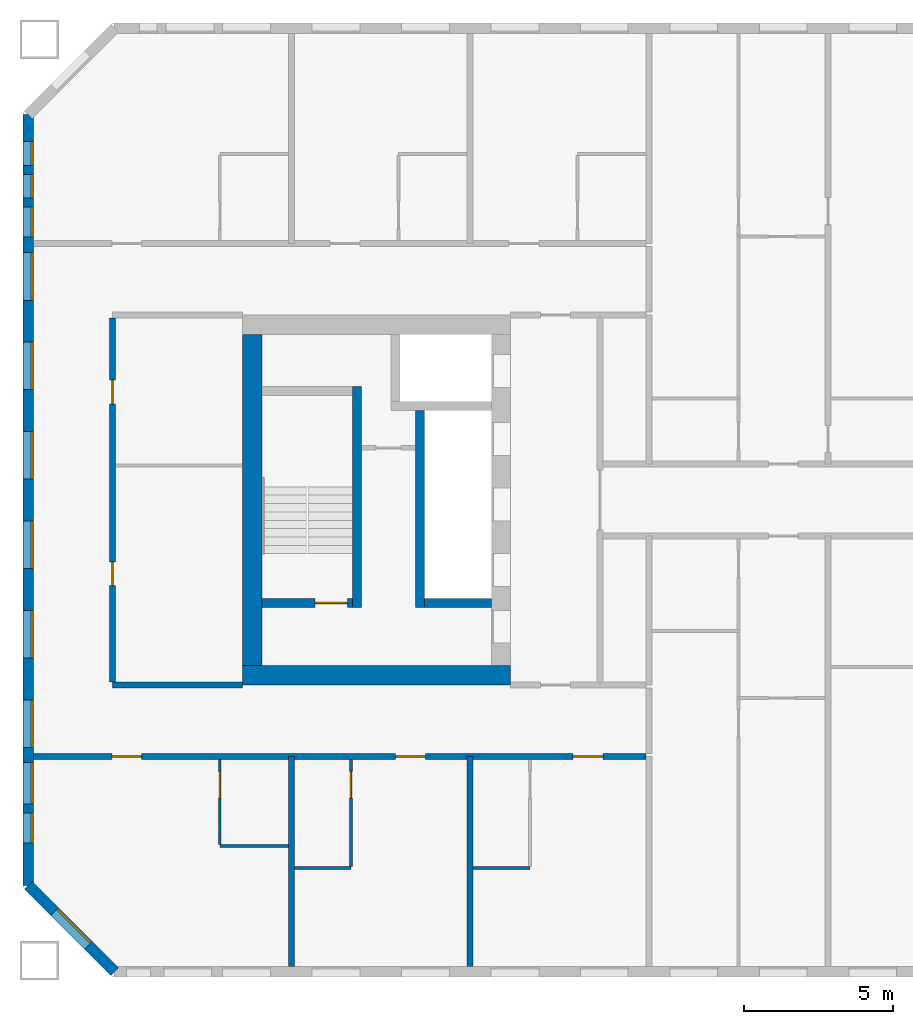
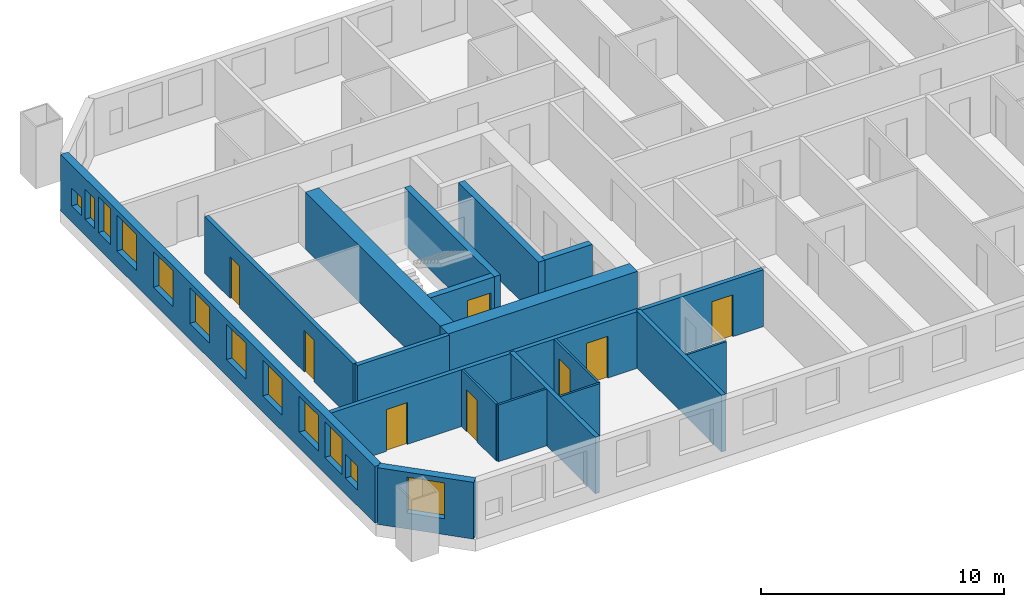
# One storey, part 2 of 16: 18 walls, 12 windows, 8 doors, 20 openings.
"""IFC4 building model written with IfcOpenShell, lengths in metres."""

from ifc_helpers import new_model, si_unit, direction, frame, frame_2d, origin, place, context, subcontext, project, spatial, rectangle, extrude, material, layer, layer_set, type_object, element, fill, save


model = new_model("IFC4")

# Units and contexts
model_context = context("Model", 3, precision=1e-05, world=origin(), true_north=direction((0.0, 1.0)))
body_context = subcontext(model_context, "Body", "Model", "MODEL_VIEW")
ifc_project = project(units=[si_unit("LENGTHUNIT", "METRE"), si_unit("AREAUNIT", "SQUARE_METRE"), si_unit("VOLUMEUNIT", "CUBIC_METRE"), si_unit("PLANEANGLEUNIT", "RADIAN"), si_unit("MASSUNIT", "GRAM", prefix="KILO")], contexts=[model_context])

# Site, building, storey
site_placement = place(None, origin())
site = spatial("IfcSite", under=ifc_project, at=site_placement, CompositionType="ELEMENT")
building_placement = place(site_placement, origin())
building = spatial("IfcBuilding", under=site, at=building_placement, Name="Tuart Gate Housing", CompositionType="ELEMENT")
storey_placement = place(building_placement, frame((0.0, 0.0, 96.39990234375)))
storey = spatial("IfcBuildingStorey", under=building, at=storey_placement, Name="L26", CompositionType="ELEMENT", Elevation=96.39990234375)

# Wall, opening, window
ifc_material_1 = material(Name="Brick", Category="masonry")
ifc_layer_1 = layer(ifc_material_1, 0.360107421875)
ifc_layer_set_1 = layer_set([ifc_layer_1], Name="Brick pier and spandrel wall 360")
wall_type_1 = type_object("IfcWallType", Name="Brick pier and spandrel wall 360", PredefinedType="STANDARD", material=ifc_layer_set_1)
wall_1_placement = place(storey_placement, frame((25.179931640625, 57.07470703125, 0.0), z_axis=(0.0, 0.0, 1.0), x_axis=(0.707106781187, -0.707106781187, 0.0)))
wall_1 = element("IfcWall", 1, at=wall_1_placement, inside=storey, type_object=wall_type_1, Name="External wall A-SW L26", PredefinedType="STANDARD", context=body_context, shape_type="SweptSolid", body=[
    extrude(rectangle(XDim=4.09375, YDim=0.360107421875, at=frame_2d((2.046875, 0.0))), origin(), (0.0, 0.0, 1.0), 2.85009765625),
])
opening_1_placement = place(wall_1_placement, frame((1.2470703125, 0.0, 0.800048828125)))
opening_1 = element("IfcOpeningElement", 2, at=opening_1_placement, cuts=wall_1, Name="Opening W1", PredefinedType="OPENING", context=body_context, shape_type="SweptSolid", body=[
    extrude(rectangle(XDim=1.60009765625, YDim=1.800048828125, at=frame_2d((0.800048828125, 0.89990234375))), frame((0.0, 0.18994140625, 0.0), z_axis=(0.0, -1.0, 0.0), x_axis=(1.0, 0.0, 0.0)), (0.0, 0.0, 1.0), 0.380126953125),
])
ifc_material_2 = material(Name="Aluminium frame with clear glass", Category="aluminium")
window_type_1 = type_object("IfcWindowType", Name="Punched window 1600 x 1800", PartitioningType="SINGLE_PANEL", PredefinedType="WINDOW", material=ifc_material_2)
window_1_placement = place(opening_1_placement, origin())
window_1 = element("IfcWindow", 3, at=window_1_placement, inside=storey, type_object=window_type_1, Name="Window W1", OverallHeight=1.800048828125, OverallWidth=1.60009765625, PartitioningType="SINGLE_PANEL", PredefinedType="WINDOW", context=body_context, shape_type="SweptSolid", body=[
    extrude(rectangle(XDim=1.60009765625, YDim=1.800048828125, at=frame_2d((0.800048828125, 0.89990234375))), frame((0.0, 0.150146484375, 0.0), z_axis=(0.0, -1.0, 0.0), x_axis=(1.0, 0.0, 0.0)), (0.0, 0.0, 1.0), 0.06005859375),
])
fill(opening_1, window_1)

# Wall, openings, windows
wall_2_placement = place(storey_placement, frame((25.179931640625, 82.92529296875, 0.0), z_axis=(0.0, 0.0, 1.0), x_axis=(0.0, -1.0, 0.0)))
wall_2 = element("IfcWall", 4, at=wall_2_placement, inside=storey, type_object=wall_type_1, Name="External wall A-W L26", PredefinedType="STANDARD", context=body_context, shape_type="SweptSolid", body=[
    extrude(rectangle(XDim=25.850830078125, YDim=0.360107421875, at=frame_2d((12.92529296875, 0.0))), origin(), (0.0, 0.0, 1.0), 2.85009765625),
])
opening_2_placement = place(wall_2_placement, frame((0.89990234375, 0.0, 0.800048828125)))
opening_2 = element("IfcOpeningElement", 5, at=opening_2_placement, cuts=wall_2, Name="Opening W1V", PredefinedType="OPENING", context=body_context, shape_type="SweptSolid", body=[
    extrude(rectangle(XDim=0.800048828125, YDim=0.89990234375, at=frame_2d((0.39990234375, 0.449951171875))), frame((0.0, 0.18994140625, 0.0), z_axis=(0.0, -1.0, 0.0), x_axis=(1.0, 0.0, 0.0)), (0.0, 0.0, 1.0), 0.380126953125),
])
opening_3_placement = place(wall_2_placement, frame((4.62548828125, 0.0, 0.800048828125)))
opening_3 = element("IfcOpeningElement", 6, at=opening_3_placement, cuts=wall_2, Name="Opening W1", PredefinedType="OPENING", context=body_context, shape_type="SweptSolid", body=[
    extrude(rectangle(XDim=1.60009765625, YDim=1.800048828125, at=frame_2d((0.800048828125, 0.89990234375))), frame((0.0, 0.18994140625, 0.0), z_axis=(0.0, -1.0, 0.0), x_axis=(1.0, 0.0, 0.0)), (0.0, 0.0, 1.0), 0.380126953125),
])
opening_4_placement = place(wall_2_placement, frame((7.62548828125, 0.0, 0.800048828125)))
opening_4 = element("IfcOpeningElement", 7, at=opening_4_placement, cuts=wall_2, Name="Opening W1", PredefinedType="OPENING", context=body_context, shape_type="SweptSolid", body=[
    extrude(rectangle(XDim=1.60009765625, YDim=1.800048828125, at=frame_2d((0.800048828125, 0.89990234375))), frame((0.0, 0.18994140625, 0.0), z_axis=(0.0, -1.0, 0.0), x_axis=(1.0, 0.0, 0.0)), (0.0, 0.0, 1.0), 0.380126953125),
])
opening_5_placement = place(wall_2_placement, frame((10.62548828125, 0.0, 0.800048828125)))
opening_5 = element("IfcOpeningElement", 8, at=opening_5_placement, cuts=wall_2, Name="Opening W1", PredefinedType="OPENING", context=body_context, shape_type="SweptSolid", body=[
    extrude(rectangle(XDim=1.60009765625, YDim=1.800048828125, at=frame_2d((0.800048828125, 0.89990234375))), frame((0.0, 0.18994140625, 0.0), z_axis=(0.0, -1.0, 0.0), x_axis=(1.0, 0.0, 0.0)), (0.0, 0.0, 1.0), 0.380126953125),
])
opening_6_placement = place(wall_2_placement, frame((13.62548828125, 0.0, 0.800048828125)))
opening_6 = element("IfcOpeningElement", 9, at=opening_6_placement, cuts=wall_2, Name="Opening W1", PredefinedType="OPENING", context=body_context, shape_type="SweptSolid", body=[
    extrude(rectangle(XDim=1.60009765625, YDim=1.800048828125, at=frame_2d((0.800048828125, 0.89990234375))), frame((0.0, 0.18994140625, 0.0), z_axis=(0.0, -1.0, 0.0), x_axis=(1.0, 0.0, 0.0)), (0.0, 0.0, 1.0), 0.380126953125),
])
opening_7_placement = place(wall_2_placement, frame((16.62548828125, 0.0, 0.800048828125)))
opening_7 = element("IfcOpeningElement", 10, at=opening_7_placement, cuts=wall_2, Name="Opening W1", PredefinedType="OPENING", context=body_context, shape_type="SweptSolid", body=[
    extrude(rectangle(XDim=1.60009765625, YDim=1.800048828125, at=frame_2d((0.800048828125, 0.89990234375))), frame((0.0, 0.18994140625, 0.0), z_axis=(0.0, -1.0, 0.0), x_axis=(1.0, 0.0, 0.0)), (0.0, 0.0, 1.0), 0.380126953125),
])
opening_8_placement = place(wall_2_placement, frame((19.62548828125, 0.0, 0.800048828125)))
opening_8 = element("IfcOpeningElement", 11, at=opening_8_placement, cuts=wall_2, Name="Opening W1", PredefinedType="OPENING", context=body_context, shape_type="SweptSolid", body=[
    extrude(rectangle(XDim=1.60009765625, YDim=1.800048828125, at=frame_2d((0.800048828125, 0.89990234375))), frame((0.0, 0.18994140625, 0.0), z_axis=(0.0, -1.0, 0.0), x_axis=(1.0, 0.0, 0.0)), (0.0, 0.0, 1.0), 0.380126953125),
])
opening_9_placement = place(wall_2_placement, frame((21.725341796875, 0.0, 0.800048828125)))
opening_9 = element("IfcOpeningElement", 12, at=opening_9_placement, cuts=wall_2, Name="Opening W1A", PredefinedType="OPENING", context=body_context, shape_type="SweptSolid", body=[
    extrude(rectangle(XDim=1.39990234375, YDim=1.800048828125, at=frame_2d((0.699951171875, 0.89990234375))), frame((0.0, 0.18994140625, 0.0), z_axis=(0.0, -1.0, 0.0), x_axis=(1.0, 0.0, 0.0)), (0.0, 0.0, 1.0), 0.380126953125),
])
opening_10_placement = place(wall_2_placement, frame((2.0, 0.0, 0.800048828125)))
opening_10 = element("IfcOpeningElement", 13, at=opening_10_placement, cuts=wall_2, Name="Opening W1J", PredefinedType="OPENING", context=body_context, shape_type="SweptSolid", body=[
    extrude(rectangle(XDim=0.800048828125, YDim=1.5, at=frame_2d((0.39990234375, 0.75))), frame((0.0, 0.18994140625, 0.0), z_axis=(0.0, -1.0, 0.0), x_axis=(1.0, 0.0, 0.0)), (0.0, 0.0, 1.0), 0.380126953125),
])
opening_11_placement = place(wall_2_placement, frame((3.10009765625, 0.0, 0.800048828125)))
opening_11 = element("IfcOpeningElement", 14, at=opening_11_placement, cuts=wall_2, Name="Opening W1C", PredefinedType="OPENING", context=body_context, shape_type="SweptSolid", body=[
    extrude(rectangle(XDim=1.0, YDim=1.800048828125, at=frame_2d((0.5, 0.89990234375))), frame((0.0, 0.18994140625, 0.0), z_axis=(0.0, -1.0, 0.0), x_axis=(1.0, 0.0, 0.0)), (0.0, 0.0, 1.0), 0.380126953125),
])
opening_12_placement = place(wall_2_placement, frame((23.42529296875, 0.0, 0.800048828125)))
opening_12 = element("IfcOpeningElement", 15, at=opening_12_placement, cuts=wall_2, Name="Opening W1O", PredefinedType="OPENING", context=body_context, shape_type="SweptSolid", body=[
    extrude(rectangle(XDim=1.0, YDim=1.199951171875, at=frame_2d((0.5, 0.60009765625))), frame((0.0, 0.18994140625, 0.0), z_axis=(0.0, -1.0, 0.0), x_axis=(1.0, 0.0, 0.0)), (0.0, 0.0, 1.0), 0.380126953125),
])
ifc_material_3 = material(Name="Aluminium frame with clear glass", Category="aluminium")
window_type_2 = type_object("IfcWindowType", Name="Punched window 1000 x 1200", PartitioningType="SINGLE_PANEL", PredefinedType="WINDOW", material=ifc_material_3)
window_2_placement = place(opening_12_placement, origin())
window_2 = element("IfcWindow", 16, at=window_2_placement, inside=storey, type_object=window_type_2, Name="Window W1O", OverallHeight=1.199951171875, OverallWidth=1.0, PartitioningType="SINGLE_PANEL", PredefinedType="WINDOW", context=body_context, shape_type="SweptSolid", body=[
    extrude(rectangle(XDim=1.0, YDim=1.199951171875, at=frame_2d((0.5, 0.60009765625))), frame((0.0, 0.150146484375, 0.0), z_axis=(0.0, -1.0, 0.0), x_axis=(1.0, 0.0, 0.0)), (0.0, 0.0, 1.0), 0.06005859375),
])
fill(opening_12, window_2)
ifc_material_4 = material(Name="Aluminium frame with clear glass", Category="aluminium")
window_type_3 = type_object("IfcWindowType", Name="Punched window 1000 x 1800", PartitioningType="SINGLE_PANEL", PredefinedType="WINDOW", material=ifc_material_4)
window_3_placement = place(opening_11_placement, origin())
window_3 = element("IfcWindow", 17, at=window_3_placement, inside=storey, type_object=window_type_3, Name="Window W1C", OverallHeight=1.800048828125, OverallWidth=1.0, PartitioningType="SINGLE_PANEL", PredefinedType="WINDOW", context=body_context, shape_type="SweptSolid", body=[
    extrude(rectangle(XDim=1.0, YDim=1.800048828125, at=frame_2d((0.5, 0.89990234375))), frame((0.0, 0.150146484375, 0.0), z_axis=(0.0, -1.0, 0.0), x_axis=(1.0, 0.0, 0.0)), (0.0, 0.0, 1.0), 0.06005859375),
])
fill(opening_11, window_3)
ifc_material_5 = material(Name="Aluminium frame with clear glass", Category="aluminium")
window_type_4 = type_object("IfcWindowType", Name="Punched window 1400 x 1800", PartitioningType="SINGLE_PANEL", PredefinedType="WINDOW", material=ifc_material_5)
window_4_placement = place(opening_9_placement, origin())
window_4 = element("IfcWindow", 18, at=window_4_placement, inside=storey, type_object=window_type_4, Name="Window W1A", OverallHeight=1.800048828125, OverallWidth=1.39990234375, PartitioningType="SINGLE_PANEL", PredefinedType="WINDOW", context=body_context, shape_type="SweptSolid", body=[
    extrude(rectangle(XDim=1.39990234375, YDim=1.800048828125, at=frame_2d((0.699951171875, 0.89990234375))), frame((0.0, 0.150146484375, 0.0), z_axis=(0.0, -1.0, 0.0), x_axis=(1.0, 0.0, 0.0)), (0.0, 0.0, 1.0), 0.06005859375),
])
fill(opening_9, window_4)
window_5_placement = place(opening_3_placement, origin())
window_5 = element("IfcWindow", 19, at=window_5_placement, inside=storey, type_object=window_type_1, Name="Window W1", OverallHeight=1.800048828125, OverallWidth=1.60009765625, PartitioningType="SINGLE_PANEL", PredefinedType="WINDOW", context=body_context, shape_type="SweptSolid", body=[
    extrude(rectangle(XDim=1.60009765625, YDim=1.800048828125, at=frame_2d((0.800048828125, 0.89990234375))), frame((0.0, 0.150146484375, 0.0), z_axis=(0.0, -1.0, 0.0), x_axis=(1.0, 0.0, 0.0)), (0.0, 0.0, 1.0), 0.06005859375),
])
fill(opening_3, window_5)
window_6_placement = place(opening_4_placement, origin())
window_6 = element("IfcWindow", 20, at=window_6_placement, inside=storey, type_object=window_type_1, Name="Window W1", OverallHeight=1.800048828125, OverallWidth=1.60009765625, PartitioningType="SINGLE_PANEL", PredefinedType="WINDOW", context=body_context, shape_type="SweptSolid", body=[
    extrude(rectangle(XDim=1.60009765625, YDim=1.800048828125, at=frame_2d((0.800048828125, 0.89990234375))), frame((0.0, 0.150146484375, 0.0), z_axis=(0.0, -1.0, 0.0), x_axis=(1.0, 0.0, 0.0)), (0.0, 0.0, 1.0), 0.06005859375),
])
fill(opening_4, window_6)
window_7_placement = place(opening_5_placement, origin())
window_7 = element("IfcWindow", 21, at=window_7_placement, inside=storey, type_object=window_type_1, Name="Window W1", OverallHeight=1.800048828125, OverallWidth=1.60009765625, PartitioningType="SINGLE_PANEL", PredefinedType="WINDOW", context=body_context, shape_type="SweptSolid", body=[
    extrude(rectangle(XDim=1.60009765625, YDim=1.800048828125, at=frame_2d((0.800048828125, 0.89990234375))), frame((0.0, 0.150146484375, 0.0), z_axis=(0.0, -1.0, 0.0), x_axis=(1.0, 0.0, 0.0)), (0.0, 0.0, 1.0), 0.06005859375),
])
fill(opening_5, window_7)
window_8_placement = place(opening_6_placement, origin())
window_8 = element("IfcWindow", 22, at=window_8_placement, inside=storey, type_object=window_type_1, Name="Window W1", OverallHeight=1.800048828125, OverallWidth=1.60009765625, PartitioningType="SINGLE_PANEL", PredefinedType="WINDOW", context=body_context, shape_type="SweptSolid", body=[
    extrude(rectangle(XDim=1.60009765625, YDim=1.800048828125, at=frame_2d((0.800048828125, 0.89990234375))), frame((0.0, 0.150146484375, 0.0), z_axis=(0.0, -1.0, 0.0), x_axis=(1.0, 0.0, 0.0)), (0.0, 0.0, 1.0), 0.06005859375),
])
fill(opening_6, window_8)
window_9_placement = place(opening_7_placement, origin())
window_9 = element("IfcWindow", 23, at=window_9_placement, inside=storey, type_object=window_type_1, Name="Window W1", OverallHeight=1.800048828125, OverallWidth=1.60009765625, PartitioningType="SINGLE_PANEL", PredefinedType="WINDOW", context=body_context, shape_type="SweptSolid", body=[
    extrude(rectangle(XDim=1.60009765625, YDim=1.800048828125, at=frame_2d((0.800048828125, 0.89990234375))), frame((0.0, 0.150146484375, 0.0), z_axis=(0.0, -1.0, 0.0), x_axis=(1.0, 0.0, 0.0)), (0.0, 0.0, 1.0), 0.06005859375),
])
fill(opening_7, window_9)
window_10_placement = place(opening_8_placement, origin())
window_10 = element("IfcWindow", 24, at=window_10_placement, inside=storey, type_object=window_type_1, Name="Window W1", OverallHeight=1.800048828125, OverallWidth=1.60009765625, PartitioningType="SINGLE_PANEL", PredefinedType="WINDOW", context=body_context, shape_type="SweptSolid", body=[
    extrude(rectangle(XDim=1.60009765625, YDim=1.800048828125, at=frame_2d((0.800048828125, 0.89990234375))), frame((0.0, 0.150146484375, 0.0), z_axis=(0.0, -1.0, 0.0), x_axis=(1.0, 0.0, 0.0)), (0.0, 0.0, 1.0), 0.06005859375),
])
fill(opening_8, window_10)
ifc_material_6 = material(Name="Aluminium frame with clear glass", Category="aluminium")
window_type_5 = type_object("IfcWindowType", Name="Punched window 800 x 1500", PartitioningType="SINGLE_PANEL", PredefinedType="WINDOW", material=ifc_material_6)
window_11_placement = place(opening_10_placement, origin())
window_11 = element("IfcWindow", 25, at=window_11_placement, inside=storey, type_object=window_type_5, Name="Window W1J", OverallHeight=1.5, OverallWidth=0.800048828125, PartitioningType="SINGLE_PANEL", PredefinedType="WINDOW", context=body_context, shape_type="SweptSolid", body=[
    extrude(rectangle(XDim=0.800048828125, YDim=1.5, at=frame_2d((0.39990234375, 0.75))), frame((0.0, 0.150146484375, 0.0), z_axis=(0.0, -1.0, 0.0), x_axis=(1.0, 0.0, 0.0)), (0.0, 0.0, 1.0), 0.06005859375),
])
fill(opening_10, window_11)
ifc_material_7 = material(Name="Aluminium frame with clear glass", Category="aluminium")
window_type_6 = type_object("IfcWindowType", Name="Punched window 800 x 900", PartitioningType="SINGLE_PANEL", PredefinedType="WINDOW", material=ifc_material_7)
window_12_placement = place(opening_2_placement, origin())
window_12 = element("IfcWindow", 26, at=window_12_placement, inside=storey, type_object=window_type_6, Name="Window W1V", OverallHeight=0.89990234375, OverallWidth=0.800048828125, PartitioningType="SINGLE_PANEL", PredefinedType="WINDOW", context=body_context, shape_type="SweptSolid", body=[
    extrude(rectangle(XDim=0.800048828125, YDim=0.89990234375, at=frame_2d((0.39990234375, 0.449951171875))), frame((0.0, 0.150146484375, 0.0), z_axis=(0.0, -1.0, 0.0), x_axis=(1.0, 0.0, 0.0)), (0.0, 0.0, 1.0), 0.06005859375),
])
fill(opening_2, window_12)

# Wall
ifc_material_8 = material(Name="Concrete C50", Category="concrete")
ifc_layer_2 = layer(ifc_material_8, 0.300048828125)
ifc_layer_set_2 = layer_set([ifc_layer_2], Name="Core wall 300 C50")
wall_type_2 = type_object("IfcWallType", Name="Core wall 300 C50", PredefinedType="SHEAR", material=ifc_layer_set_2)
wall_3_placement = place(storey_placement, frame((40.7099609375, 66.550048828125, 0.0), z_axis=(0.0, 0.0, 1.0), x_axis=(-1.0, 0.0, 0.0)))
element("IfcWall", 27, at=wall_3_placement, inside=storey, type_object=wall_type_2, Name="Core wall AK.4", PredefinedType="SHEAR", context=body_context, shape_type="SweptSolid", body=[
    extrude(rectangle(XDim=2.25, YDim=0.300048828125, at=frame_2d((1.125, 0.0))), origin(), (0.0, 0.0, 1.0), 2.85009765625),
])

# Wall, opening, door
wall_4_placement = place(storey_placement, frame((36.06005859375, 66.550048828125, 0.0), z_axis=(0.0, 0.0, 1.0), x_axis=(-1.0, 0.0, 0.0)))
wall_4 = element("IfcWall", 28, at=wall_4_placement, inside=storey, type_object=wall_type_2, Name="Core wall AK.5", PredefinedType="SHEAR", context=body_context, shape_type="SweptSolid", body=[
    extrude(rectangle(XDim=3.050048828125, YDim=0.300048828125, at=frame_2d((1.52490234375, 0.0))), origin(), (0.0, 0.0, 1.0), 2.85009765625),
])
opening_13_placement = place(wall_4_placement, frame((0.169921875, 0.0, 0.0)))
opening_13 = element("IfcOpeningElement", 29, at=opening_13_placement, cuts=wall_4, Name="Opening D1103", PredefinedType="OPENING", context=body_context, shape_type="SweptSolid", body=[
    extrude(rectangle(XDim=1.10009765625, YDim=2.10009765625, at=frame_2d((0.550048828125, 1.050048828125))), frame((0.0, 0.159912109375, 0.0), z_axis=(0.0, -1.0, 0.0), x_axis=(1.0, 0.0, 0.0)), (0.0, 0.0, 1.0), 0.320068359375),
])
ifc_material_9 = material(Name="Steel fire door", Category="steel")
door_type_1 = type_object("IfcDoorType", Name="Stair door 1100 x 2100 RH", OperationType="SINGLE_SWING_RIGHT", PredefinedType="DOOR", material=ifc_material_9)
door_1_placement = place(opening_13_placement, frame((1.10009765625, 0.0, 0.0), z_axis=(0.0, 0.0, 1.0), x_axis=(-1.0, 0.0, 0.0)))
door_1 = element("IfcDoor", 30, at=door_1_placement, inside=storey, type_object=door_type_1, Name="Stair door AK.SD", OperationType="SINGLE_SWING_RIGHT", OverallHeight=2.10009765625, OverallWidth=1.10009765625, PredefinedType="DOOR", context=body_context, shape_type="SweptSolid", body=[
    extrude(rectangle(XDim=1.10009765625, YDim=2.10009765625, at=frame_2d((0.550048828125, 1.050048828125))), frame((0.0, 0.025146484375, 0.0), z_axis=(0.0, -1.0, 0.0), x_axis=(1.0, 0.0, 0.0)), (0.0, 0.0, 1.0), 0.050048828125),
])
fill(opening_13, door_1)

# Walls
wall_5_placement = place(storey_placement, frame((38.31005859375, 73.0, 0.0), z_axis=(0.0, 0.0, 1.0), x_axis=(0.0, -1.0, 0.0)))
element("IfcWall", 31, at=wall_5_placement, inside=storey, type_object=wall_type_2, Name="Core wall AK.6", PredefinedType="SHEAR", context=body_context, shape_type="SweptSolid", body=[
    extrude(rectangle(XDim=6.60009765625, YDim=0.300048828125, at=frame_2d((3.300048828125, 0.0))), origin(), (0.0, 0.0, 1.0), 2.85009765625),
])
wall_6_placement = place(storey_placement, frame((36.2099609375, 73.800048828125, 0.0), z_axis=(0.0, 0.0, 1.0), x_axis=(0.0, -1.0, 0.0)))
element("IfcWall", 32, at=wall_6_placement, inside=storey, type_object=wall_type_2, Name="Core wall AK.8", PredefinedType="SHEAR", context=body_context, shape_type="SweptSolid", body=[
    extrude(rectangle(XDim=7.400146484375, YDim=0.300048828125, at=frame_2d((3.7001953125, 0.0))), origin(), (0.0, 0.0, 1.0), 2.85009765625),
])
ifc_material_10 = material(Name="Concrete C50", Category="concrete")
ifc_layer_3 = layer(ifc_material_10, 0.64990234375)
ifc_layer_set_3 = layer_set([ifc_layer_3], Name="Core wall 650 C50")
wall_type_3 = type_object("IfcWallType", Name="Core wall 650 C50", PredefinedType="SHEAR", material=ifc_layer_set_3)
wall_7_placement = place(storey_placement, frame((32.68505859375, 75.550048828125, 0.0), z_axis=(0.0, 0.0, 1.0), x_axis=(0.0, -1.0, 0.0)))
element("IfcWall", 33, at=wall_7_placement, inside=storey, type_object=wall_type_3, Name="Core wall AK back", PredefinedType="SHEAR", context=body_context, shape_type="SweptSolid", body=[
    extrude(rectangle(XDim=11.10009765625, YDim=0.64990234375, at=frame_2d((5.550048828125, 0.0))), origin(), (0.0, 0.0, 1.0), 2.85009765625),
])
wall_8_placement = place(storey_placement, frame((41.360107421875, 64.125, 0.0), z_axis=(0.0, 0.0, 1.0), x_axis=(-1.0, 0.0, 0.0)))
element("IfcWall", 34, at=wall_8_placement, inside=storey, type_object=wall_type_3, Name="Core wall AK north", PredefinedType="SHEAR", context=body_context, shape_type="SweptSolid", body=[
    extrude(rectangle(XDim=9.0, YDim=0.64990234375, at=frame_2d((4.5, 0.0))), origin(), (0.0, 0.0, 1.0), 2.85009765625),
])

# Wall, openings, doors
ifc_material_11 = material(Name="Concrete masonry 15 MPa", Category="masonry")
ifc_layer_4 = layer(ifc_material_11, 0.199951171875)
ifc_layer_set_4 = layer_set([ifc_layer_4], Name="Corridor wall masonry 200")
wall_type_4 = type_object("IfcWallType", Name="Corridor wall masonry 200", PredefinedType="PARTITIONING", material=ifc_layer_set_4)
wall_9_placement = place(storey_placement, frame((25.360107421875, 61.39990234375, 0.0), z_axis=(0.0, 0.0, 1.0), x_axis=(1.0, 0.0, 0.0)))
wall_9 = element("IfcWall", 35, at=wall_9_placement, inside=storey, type_object=wall_type_4, Name="Corridor wall masonry 200", PredefinedType="PARTITIONING", context=body_context, shape_type="SweptSolid", body=[
    extrude(rectangle(XDim=20.539794921875, YDim=0.199951171875, at=frame_2d((10.27001953125, 0.0))), origin(), (0.0, 0.0, 1.0), 2.85009765625),
])
opening_14_placement = place(wall_9_placement, frame((18.090087890625, 0.0, 0.0)))
opening_14 = element("IfcOpeningElement", 36, at=opening_14_placement, cuts=wall_9, Name="Opening D1113", PredefinedType="OPENING", context=body_context, shape_type="SweptSolid", body=[
    extrude(rectangle(XDim=1.0, YDim=2.10009765625, at=frame_2d((0.5, 1.050048828125))), frame((0.0, 0.10986328125, 0.0), z_axis=(0.0, -1.0, 0.0), x_axis=(1.0, 0.0, 0.0)), (0.0, 0.0, 1.0), 0.219970703125),
])
opening_15_placement = place(wall_9_placement, frame((12.139892578125, 0.0, 0.0)))
opening_15 = element("IfcOpeningElement", 37, at=opening_15_placement, cuts=wall_9, Name="Opening D1114", PredefinedType="OPENING", context=body_context, shape_type="SweptSolid", body=[
    extrude(rectangle(XDim=1.0, YDim=2.10009765625, at=frame_2d((0.5, 1.050048828125))), frame((0.0, 0.10986328125, 0.0), z_axis=(0.0, -1.0, 0.0), x_axis=(1.0, 0.0, 0.0)), (0.0, 0.0, 1.0), 0.219970703125),
])
opening_16_placement = place(wall_9_placement, frame((2.6201171875, 0.0, 0.0)))
opening_16 = element("IfcOpeningElement", 38, at=opening_16_placement, cuts=wall_9, Name="Opening D1115", PredefinedType="OPENING", context=body_context, shape_type="SweptSolid", body=[
    extrude(rectangle(XDim=1.0, YDim=2.10009765625, at=frame_2d((0.5, 1.050048828125))), frame((0.0, 0.10986328125, 0.0), z_axis=(0.0, -1.0, 0.0), x_axis=(1.0, 0.0, 0.0)), (0.0, 0.0, 1.0), 0.219970703125),
])
ifc_material_12 = material(Name="Timber door leaf in steel frame", Category="steel")
door_type_2 = type_object("IfcDoorType", Name="Flat entrance door 1000 RH", OperationType="SINGLE_SWING_RIGHT", PredefinedType="DOOR", material=ifc_material_12)
door_2_placement = place(opening_14_placement, frame((1.0, 0.0, 0.0), z_axis=(0.0, 0.0, 1.0), x_axis=(-1.0, 0.0, 0.0)))
door_2 = element("IfcDoor", 39, at=door_2_placement, inside=storey, type_object=door_type_2, Name="Flat entrance door", OperationType="SINGLE_SWING_RIGHT", OverallHeight=2.10009765625, OverallWidth=1.0, PredefinedType="DOOR", context=body_context, shape_type="SweptSolid", body=[
    extrude(rectangle(XDim=1.0, YDim=2.10009765625, at=frame_2d((0.5, 1.050048828125))), frame((0.0, 0.025146484375, 0.0), z_axis=(0.0, -1.0, 0.0), x_axis=(1.0, 0.0, 0.0)), (0.0, 0.0, 1.0), 0.050048828125),
])
fill(opening_14, door_2)
door_3_placement = place(opening_15_placement, frame((1.0, 0.0, 0.0), z_axis=(0.0, 0.0, 1.0), x_axis=(-1.0, 0.0, 0.0)))
door_3 = element("IfcDoor", 40, at=door_3_placement, inside=storey, type_object=door_type_2, Name="Flat entrance door", OperationType="SINGLE_SWING_RIGHT", OverallHeight=2.10009765625, OverallWidth=1.0, PredefinedType="DOOR", context=body_context, shape_type="SweptSolid", body=[
    extrude(rectangle(XDim=1.0, YDim=2.10009765625, at=frame_2d((0.5, 1.050048828125))), frame((0.0, 0.025146484375, 0.0), z_axis=(0.0, -1.0, 0.0), x_axis=(1.0, 0.0, 0.0)), (0.0, 0.0, 1.0), 0.050048828125),
])
fill(opening_15, door_3)
door_4_placement = place(opening_16_placement, frame((1.0, 0.0, 0.0), z_axis=(0.0, 0.0, 1.0), x_axis=(-1.0, 0.0, 0.0)))
door_4 = element("IfcDoor", 41, at=door_4_placement, inside=storey, type_object=door_type_2, Name="Flat entrance door", OperationType="SINGLE_SWING_RIGHT", OverallHeight=2.10009765625, OverallWidth=1.0, PredefinedType="DOOR", context=body_context, shape_type="SweptSolid", body=[
    extrude(rectangle(XDim=1.0, YDim=2.10009765625, at=frame_2d((0.5, 1.050048828125))), frame((0.0, 0.025146484375, 0.0), z_axis=(0.0, -1.0, 0.0), x_axis=(1.0, 0.0, 0.0)), (0.0, 0.0, 1.0), 0.050048828125),
])
fill(opening_16, door_4)

# Wall
wall_10_placement = place(storey_placement, frame((28.0, 63.800048828125, 0.0), z_axis=(0.0, 0.0, 1.0), x_axis=(1.0, 0.0, 0.0)))
element("IfcWall", 42, at=wall_10_placement, inside=storey, type_object=wall_type_4, Name="Corridor wall masonry 200", PredefinedType="PARTITIONING", context=body_context, shape_type="SweptSolid", body=[
    extrude(rectangle(XDim=4.360107421875, YDim=0.199951171875, at=frame_2d((2.18017578125, 0.0))), origin(), (0.0, 0.0, 1.0), 2.85009765625),
])

# Wall, openings, doors
wall_11_placement = place(storey_placement, frame((28.0, 63.89990234375, 0.0), z_axis=(0.0, 0.0, 1.0), x_axis=(0.0, 1.0, 0.0)))
wall_11 = element("IfcWall", 43, at=wall_11_placement, inside=storey, type_object=wall_type_4, Name="Corridor wall masonry 200", PredefinedType="PARTITIONING", context=body_context, shape_type="SweptSolid", body=[
    extrude(rectangle(XDim=12.2001953125, YDim=0.199951171875, at=frame_2d((6.10009765625, 0.0))), origin(), (0.0, 0.0, 1.0), 2.85009765625),
])
opening_17_placement = place(wall_11_placement, frame((3.22509765625, 0.0, 0.0)))
opening_17 = element("IfcOpeningElement", 44, at=opening_17_placement, cuts=wall_11, Name="Opening D1092", PredefinedType="OPENING", context=body_context, shape_type="SweptSolid", body=[
    extrude(rectangle(XDim=0.800048828125, YDim=2.10009765625, at=frame_2d((0.39990234375, 1.050048828125))), frame((0.0, 0.10986328125, 0.0), z_axis=(0.0, -1.0, 0.0), x_axis=(1.0, 0.0, 0.0)), (0.0, 0.0, 1.0), 0.219970703125),
])
opening_18_placement = place(wall_11_placement, frame((9.324951171875, 0.0, 0.0)))
opening_18 = element("IfcOpeningElement", 45, at=opening_18_placement, cuts=wall_11, Name="Opening D1093", PredefinedType="OPENING", context=body_context, shape_type="SweptSolid", body=[
    extrude(rectangle(XDim=0.800048828125, YDim=2.10009765625, at=frame_2d((0.39990234375, 1.050048828125))), frame((0.0, 0.10986328125, 0.0), z_axis=(0.0, -1.0, 0.0), x_axis=(1.0, 0.0, 0.0)), (0.0, 0.0, 1.0), 0.219970703125),
])
ifc_material_13 = material(Name="Timber door leaf in steel frame", Category="steel")
door_type_3 = type_object("IfcDoorType", Name="Store door 800", OperationType="SINGLE_SWING_LEFT", PredefinedType="DOOR", material=ifc_material_13)
door_5_placement = place(opening_17_placement, frame((0.800048828125, 0.0, 0.0), z_axis=(0.0, 0.0, 1.0), x_axis=(-1.0, 0.0, 0.0)))
door_5 = element("IfcDoor", 46, at=door_5_placement, inside=storey, type_object=door_type_3, Name="Store door", OperationType="SINGLE_SWING_LEFT", OverallHeight=2.10009765625, OverallWidth=0.800048828125, PredefinedType="DOOR", context=body_context, shape_type="SweptSolid", body=[
    extrude(rectangle(XDim=0.800048828125, YDim=2.10009765625, at=frame_2d((0.400146484375, 1.050048828125))), frame((0.0, 0.025146484375, 0.0), z_axis=(0.0, -1.0, 0.0), x_axis=(1.0, 0.0, 0.0)), (0.0, 0.0, 1.0), 0.050048828125),
])
fill(opening_17, door_5)
ifc_material_14 = material(Name="Timber door leaf in steel frame", Category="steel")
door_type_4 = type_object("IfcDoorType", Name="Store door 800 RH", OperationType="SINGLE_SWING_RIGHT", PredefinedType="DOOR", material=ifc_material_14)
door_6_placement = place(opening_18_placement, frame((0.800048828125, 0.0, 0.0), z_axis=(0.0, 0.0, 1.0), x_axis=(-1.0, 0.0, 0.0)))
door_6 = element("IfcDoor", 47, at=door_6_placement, inside=storey, type_object=door_type_4, Name="Store door", OperationType="SINGLE_SWING_RIGHT", OverallHeight=2.10009765625, OverallWidth=0.800048828125, PredefinedType="DOOR", context=body_context, shape_type="SweptSolid", body=[
    extrude(rectangle(XDim=0.800048828125, YDim=2.10009765625, at=frame_2d((0.400146484375, 1.050048828125))), frame((0.0, 0.025146484375, 0.0), z_axis=(0.0, -1.0, 0.0), x_axis=(1.0, 0.0, 0.0)), (0.0, 0.0, 1.0), 0.050048828125),
])
fill(opening_18, door_6)

# Walls
ifc_material_15 = material(Name="Gypsum board on steel studs", Category="steel")
ifc_layer_5 = layer(ifc_material_15, 0.10009765625)
ifc_layer_set_5 = layer_set([ifc_layer_5], Name="Partition 100")
wall_type_5 = type_object("IfcWallType", Name="Partition 100", PredefinedType="PARTITIONING", material=ifc_layer_set_5)
for number, where, z_axis, x_axis, name in (
    (48, (34.10009765625, 57.64990234375, 0.0), (0.0, 0.0, 1.0), (1.0, 0.0, 0.0), "Partition 100"),
    (49, (40.10009765625, 57.64990234375, 0.0), (0.0, 0.0, 1.0), (1.0, 0.0, 0.0), "Partition 100"),
):
    element("IfcWall", number, at=place(storey_placement, frame(where, z_axis=z_axis, x_axis=x_axis)), inside=storey, type_object=wall_type_5, Name=name, PredefinedType="PARTITIONING", context=body_context, shape_type="SweptSolid", body=[
        extrude(rectangle(XDim=1.89990234375, YDim=0.10009765625, at=frame_2d((0.949951171875, 0.0))), origin(), (0.0, 0.0, 1.0), 2.85009765625),
    ])
wall_12_placement = place(storey_placement, frame((31.60009765625, 58.39990234375, 0.0), z_axis=(0.0, 0.0, 1.0), x_axis=(1.0, 0.0, 0.0)))
element("IfcWall", 50, at=wall_12_placement, inside=storey, type_object=wall_type_5, Name="Partition 100", PredefinedType="PARTITIONING", context=body_context, shape_type="SweptSolid", body=[
    extrude(rectangle(XDim=2.2998046875, YDim=0.10009765625, at=frame_2d((1.14990234375, 0.0))), origin(), (0.0, 0.0, 1.0), 2.85009765625),
])

# Wall, opening, door
wall_13_placement = place(storey_placement, frame((31.60009765625, 58.449951171875, 0.0), z_axis=(0.0, 0.0, 1.0), x_axis=(0.0, 1.0, 0.0)))
wall_13 = element("IfcWall", 51, at=wall_13_placement, inside=storey, type_object=wall_type_5, Name="Partition 100", PredefinedType="PARTITIONING", context=body_context, shape_type="SweptSolid", body=[
    extrude(rectangle(XDim=2.85009765625, YDim=0.10009765625, at=frame_2d((1.425048828125, 0.0))), origin(), (0.0, 0.0, 1.0), 2.85009765625),
])
opening_19_placement = place(wall_13_placement, frame((1.550048828125, 0.0, 0.0)))
opening_19 = element("IfcOpeningElement", 52, at=opening_19_placement, cuts=wall_13, Name="Opening D1118", PredefinedType="OPENING", context=body_context, shape_type="SweptSolid", body=[
    extrude(rectangle(XDim=0.89990234375, YDim=2.10009765625, at=frame_2d((0.449951171875, 1.050048828125))), frame((0.0, 0.06005859375, 0.0), z_axis=(0.0, -1.0, 0.0), x_axis=(1.0, 0.0, 0.0)), (0.0, 0.0, 1.0), 0.1201171875),
])
ifc_material_16 = material(Name="Timber door leaf in steel frame", Category="steel")
door_type_5 = type_object("IfcDoorType", Name="Bathroom door 900", OperationType="SINGLE_SWING_LEFT", PredefinedType="DOOR", material=ifc_material_16)
door_7_placement = place(opening_19_placement, frame((0.89990234375, 0.0, 0.0), z_axis=(0.0, 0.0, 1.0), x_axis=(-1.0, 0.0, 0.0)))
door_7 = element("IfcDoor", 53, at=door_7_placement, inside=storey, type_object=door_type_5, Name="Bathroom door", OperationType="SINGLE_SWING_LEFT", OverallHeight=2.10009765625, OverallWidth=0.89990234375, PredefinedType="DOOR", context=body_context, shape_type="SweptSolid", body=[
    extrude(rectangle(XDim=0.89990234375, YDim=2.10009765625, at=frame_2d((0.449951171875, 1.050048828125))), frame((0.0, 0.025146484375, 0.0), z_axis=(0.0, -1.0, 0.0), x_axis=(1.0, 0.0, 0.0)), (0.0, 0.0, 1.0), 0.050048828125),
])
fill(opening_19, door_7)

wall_14_placement = place(storey_placement, frame((36.0, 57.699951171875, 0.0), z_axis=(0.0, 0.0, 1.0), x_axis=(0.0, 1.0, 0.0)))
wall_14 = element("IfcWall", 54, at=wall_14_placement, inside=storey, type_object=wall_type_5, Name="Partition 100", PredefinedType="PARTITIONING", context=body_context, shape_type="SweptSolid", body=[
    extrude(rectangle(XDim=3.60009765625, YDim=0.10009765625, at=frame_2d((1.800048828125, 0.0))), origin(), (0.0, 0.0, 1.0), 2.85009765625),
])
opening_20_placement = place(wall_14_placement, frame((2.300048828125, 0.0, 0.0)))
opening_20 = element("IfcOpeningElement", 55, at=opening_20_placement, cuts=wall_14, Name="Opening D1121", PredefinedType="OPENING", context=body_context, shape_type="SweptSolid", body=[
    extrude(rectangle(XDim=0.89990234375, YDim=2.10009765625, at=frame_2d((0.449951171875, 1.050048828125))), frame((0.0, 0.06005859375, 0.0), z_axis=(0.0, -1.0, 0.0), x_axis=(1.0, 0.0, 0.0)), (0.0, 0.0, 1.0), 0.1201171875),
])
ifc_material_17 = material(Name="Timber door leaf in steel frame", Category="steel")
door_type_6 = type_object("IfcDoorType", Name="Bathroom door 900 RH", OperationType="SINGLE_SWING_RIGHT", PredefinedType="DOOR", material=ifc_material_17)
door_8_placement = place(opening_20_placement, origin())
door_8 = element("IfcDoor", 56, at=door_8_placement, inside=storey, type_object=door_type_6, Name="Bathroom door", OperationType="SINGLE_SWING_RIGHT", OverallHeight=2.10009765625, OverallWidth=0.89990234375, PredefinedType="DOOR", context=body_context, shape_type="SweptSolid", body=[
    extrude(rectangle(XDim=0.89990234375, YDim=2.10009765625, at=frame_2d((0.449951171875, 1.050048828125))), frame((0.0, 0.02490234375, 0.0), z_axis=(0.0, -1.0, 0.0), x_axis=(1.0, 0.0, 0.0)), (0.0, 0.0, 1.0), 0.050048828125),
])
fill(opening_20, door_8)

# Walls
ifc_material_18 = material(Name="Concrete C40", Category="concrete")
ifc_layer_6 = layer(ifc_material_18, 0.199951171875)
ifc_layer_set_6 = layer_set([ifc_layer_6], Name="Party wall concrete C40 200")
wall_type_6 = type_object("IfcWallType", Name="Party wall concrete C40 200", PredefinedType="SOLIDWALL", material=ifc_layer_set_6)
for number, where, z_axis, x_axis, name in (
    (57, (34.0, 54.360107421875, 0.0), (0.0, 0.0, 1.0), (0.0, 1.0, 0.0), "Party wall concrete C40 200"),
    (58, (40.0, 54.360107421875, 0.0), (0.0, 0.0, 1.0), (0.0, 1.0, 0.0), "Party wall concrete C40 200"),
):
    element("IfcWall", number, at=place(storey_placement, frame(where, z_axis=z_axis, x_axis=x_axis)), inside=storey, type_object=wall_type_6, Name=name, PredefinedType="SOLIDWALL", context=body_context, shape_type="SweptSolid", body=[
        extrude(rectangle(XDim=7.039794921875, YDim=0.199951171875, at=frame_2d((3.52001953125, 0.0))), origin(), (0.0, 0.0, 1.0), 2.85009765625),
    ])

save(model, "model.ifc")
